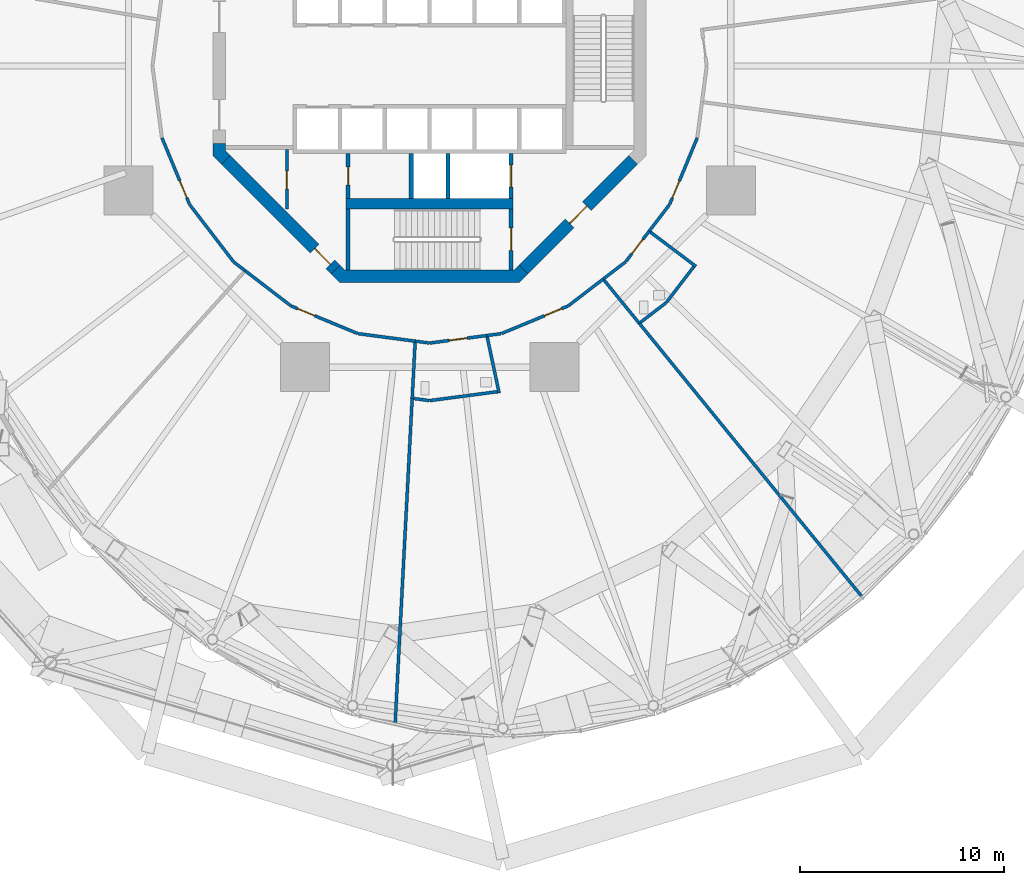
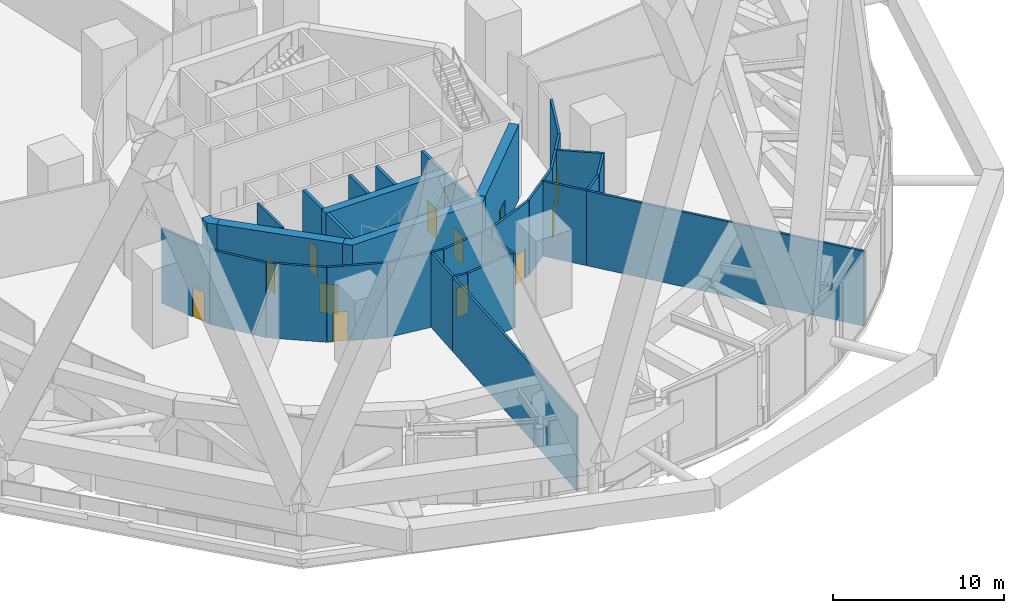
# One storey, part 39 of 51: 37 walls, 12 doors, 12 openings.
"""IFC4 building model written with IfcOpenShell, lengths in metres."""

from ifc_helpers import new_model, si_unit, direction, frame, frame_2d, origin, place, context, subcontext, project, spatial, polyline, rectangle, outline, extrude, material, layer, layer_set, type_object, element, fill, save


model = new_model("IFC4")

# Units and contexts
model_context = context("Model", 3, precision=1e-05, world=origin(), true_north=direction((0.0, 1.0)))
body_context = subcontext(model_context, "Body", "Model", "MODEL_VIEW")
ifc_project = project(units=[si_unit("LENGTHUNIT", "METRE"), si_unit("AREAUNIT", "SQUARE_METRE"), si_unit("VOLUMEUNIT", "CUBIC_METRE"), si_unit("PLANEANGLEUNIT", "RADIAN"), si_unit("MASSUNIT", "GRAM", prefix="KILO")], contexts=[model_context])

# Site, building, storey
site_placement = place(None, origin())
site = spatial("IfcSite", under=ifc_project, at=site_placement, CompositionType="ELEMENT")
building_placement = place(site_placement, origin())
building = spatial("IfcBuilding", under=site, at=building_placement, Name="Nagisa Residences", CompositionType="ELEMENT")
storey_placement = place(building_placement, frame((0.0, 0.0, 67.699951171875)))
storey = spatial("IfcBuildingStorey", under=building, at=storey_placement, Name="L16", CompositionType="ELEMENT", Elevation=67.699951171875)

# Wall, opening, door
ifc_material_1 = material(Name="Gypsum board on steel studs", Category="steel")
ifc_layer_1 = layer(ifc_material_1, 0.14990234375)
ifc_layer_set_1 = layer_set([ifc_layer_1], Name="Core partition 150")
wall_type_1 = type_object("IfcWallType", Name="Core partition 150", PredefinedType="PARTITIONING", material=ifc_layer_set_1)
wall_1_placement = place(storey_placement, frame((-7.0, -7.02685546875, 0.0), z_axis=(0.0, 0.0, 1.0), x_axis=(0.0, 1.0, 0.0)))
wall_1 = element("IfcWall", 1, at=wall_1_placement, inside=storey, type_object=wall_type_1, Name="wall:L16:SWp", PredefinedType="PARTITIONING", context=body_context, shape_type="SweptSolid", body=[
    extrude(rectangle(XDim=2.9267578125, YDim=0.14990234375, at=frame_2d((1.46337890625, 0.0))), origin(), (0.0, 0.0, 1.0), 5.340087890625),
])
opening_1_placement = place(wall_1_placement, frame((0.97607421875, 0.0, 0.0)))
opening_1 = element("IfcOpeningElement", 2, at=opening_1_placement, cuts=wall_1, Name="Opening L16-C14", PredefinedType="OPENING", context=body_context, shape_type="SweptSolid", body=[
    extrude(rectangle(XDim=0.89990234375, YDim=2.10009765625, at=frame_2d((0.449951171875, 1.050048828125))), frame((0.0, 0.0849609375, 0.0), z_axis=(0.0, -1.0, 0.0), x_axis=(1.0, 0.0, 0.0)), (0.0, 0.0, 1.0), 0.169921875),
])
ifc_material_2 = material(Name="Steel fire door", Category="steel")
door_type_1 = type_object("IfcDoorType", Name="Fire door EI30 900x2100 single swing", OperationType="NOTDEFINED", PredefinedType="DOOR", material=ifc_material_2)
door_1_placement = place(opening_1_placement, origin())
door_1 = element("IfcDoor", 3, at=door_1_placement, inside=storey, type_object=door_type_1, Name="Refuse room door L16", OperationType="SINGLE_SWING_LEFT", OverallHeight=2.10009765625, OverallWidth=0.89990234375, PredefinedType="DOOR", context=body_context, shape_type="SweptSolid", body=[
    extrude(rectangle(XDim=0.89990234375, YDim=2.10009765625, at=frame_2d((0.449951171875, 1.050048828125))), frame((0.0, 0.02490234375, 0.0), z_axis=(0.0, -1.0, 0.0), x_axis=(1.0, 0.0, 0.0)), (0.0, 0.0, 1.0), 0.050048828125),
])
fill(opening_1, door_1)

ifc_material_3 = material(Name="Concrete C60", Category="concrete")
ifc_layer_2 = layer(ifc_material_3, 0.60009765625)
ifc_layer_set_2 = layer_set([ifc_layer_2], Name="Core shear wall 600")
wall_type_2 = type_object("IfcWallType", Name="Core shear wall 600", PredefinedType="SHEAR", material=ifc_layer_set_2)
wall_2_placement = place(storey_placement, frame((-9.98828125, -4.613037109375, 0.0), z_axis=(0.0, 0.0, 1.0), x_axis=(0.707106781187, -0.707106781187, 0.0)))
wall_2 = element("IfcWall", 4, at=wall_2_placement, inside=storey, type_object=wall_type_2, Name="wall:L16:core:flat5", PredefinedType="SHEAR", context=body_context, shape_type="SweptSolid", body=[
    extrude(rectangle(XDim=7.601806640625, YDim=0.60009765625, at=frame_2d((3.80078125, 0.0))), origin(), (0.0, 0.0, 1.0), 5.340087890625),
])
opening_2_placement = place(wall_2_placement, frame((6.15087890625, 0.0, 0.0)))
opening_2 = element("IfcOpeningElement", 5, at=opening_2_placement, cuts=wall_2, Name="Opening L16-C21", PredefinedType="OPENING", context=body_context, shape_type="SweptSolid", body=[
    extrude(rectangle(XDim=1.10009765625, YDim=2.10009765625, at=frame_2d((0.550048828125, 1.050048828125))), frame((0.0, 0.31005859375, 0.0), z_axis=(0.0, -1.0, 0.0), x_axis=(1.0, 0.0, 0.0)), (0.0, 0.0, 1.0), 0.6201171875),
])
ifc_material_4 = material(Name="Steel fire door", Category="steel")
door_type_2 = type_object("IfcDoorType", Name="Fire door EI60 1100x2100 single swing", OperationType="NOTDEFINED", PredefinedType="DOOR", material=ifc_material_4)
door_2_placement = place(opening_2_placement, origin())
door_2 = element("IfcDoor", 6, at=door_2_placement, inside=storey, type_object=door_type_2, Name="Housekeeping lobby door L16", OperationType="SINGLE_SWING_LEFT", OverallHeight=2.10009765625, OverallWidth=1.10009765625, PredefinedType="DOOR", context=body_context, shape_type="SweptSolid", body=[
    extrude(rectangle(XDim=1.10009765625, YDim=2.10009765625, at=frame_2d((0.550048828125, 1.050048828125))), frame((0.0, 0.02490234375, 0.0), z_axis=(0.0, -1.0, 0.0), x_axis=(1.0, 0.0, 0.0)), (0.0, 0.0, 1.0), 0.050048828125),
])
fill(opening_2, door_2)

wall_3_placement = place(storey_placement, frame((4.613037109375, -9.98828125, 0.0), z_axis=(0.0, 0.0, 1.0), x_axis=(0.707106781187, 0.707106781187, 0.0)))
wall_3 = element("IfcWall", 7, at=wall_3_placement, inside=storey, type_object=wall_type_2, Name="wall:L16:core:flat7", PredefinedType="SHEAR", context=body_context, shape_type="SweptSolid", body=[
    extrude(rectangle(XDim=7.601806640625, YDim=0.60009765625, at=frame_2d((3.80078125, 0.0))), origin(), (0.0, 0.0, 1.0), 5.340087890625),
])
opening_3_placement = place(wall_3_placement, frame((3.200927734375, 0.0, 0.0)))
opening_3 = element("IfcOpeningElement", 8, at=opening_3_placement, cuts=wall_3, Name="Opening L16-C17", PredefinedType="OPENING", context=body_context, shape_type="SweptSolid", body=[
    extrude(rectangle(XDim=1.199951171875, YDim=2.10009765625, at=frame_2d((0.60009765625, 1.050048828125))), frame((0.0, 0.31005859375, 0.0), z_axis=(0.0, -1.0, 0.0), x_axis=(1.0, 0.0, 0.0)), (0.0, 0.0, 1.0), 0.6201171875),
])
ifc_material_5 = material(Name="Steel fire door", Category="steel")
door_type_3 = type_object("IfcDoorType", Name="Fire door EI60 1200x2100 single swing", OperationType="NOTDEFINED", PredefinedType="DOOR", material=ifc_material_5)
door_3_placement = place(opening_3_placement, origin())
door_3 = element("IfcDoor", 9, at=door_3_placement, inside=storey, type_object=door_type_3, Name="Firefighting lobby 2 door L16", OperationType="SINGLE_SWING_LEFT", OverallHeight=2.10009765625, OverallWidth=1.199951171875, PredefinedType="DOOR", context=body_context, shape_type="SweptSolid", body=[
    extrude(rectangle(XDim=1.199951171875, YDim=2.10009765625, at=frame_2d((0.60009765625, 1.050048828125))), frame((0.0, 0.02490234375, 0.0), z_axis=(0.0, -1.0, 0.0), x_axis=(1.0, 0.0, 0.0)), (0.0, 0.0, 1.0), 0.050048828125),
])
fill(opening_3, door_3)

# Walls
wall_4_placement = place(storey_placement, origin())
element("IfcWall", 10, at=wall_4_placement, inside=storey, type_object=wall_type_2, Name="wall:L16:core:pier4", PredefinedType="SHEAR", context=body_context, shape_type="SweptSolid", body=[
    extrude(outline(polyline([(-10.62451171875, -3.80078125), (-10.024658203125, -3.80078125), (-10.024658203125, -4.15234375), (-9.776123046875, -4.40087890625), (-10.200439453125, -4.8251953125), (-10.62451171875, -4.40087890625), (-10.62451171875, -3.80078125)])), origin(), (0.0, 0.0, 1.0), 5.340087890625),
])
wall_5_placement = place(storey_placement, origin())
element("IfcWall", 11, at=wall_5_placement, inside=storey, type_object=wall_type_2, Name="wall:L16:core:flat6", PredefinedType="SHEAR", context=body_context, shape_type="SweptSolid", body=[
    extrude(outline(polyline([(-4.15234375, -10.024658203125), (4.15234375, -10.024658203125), (4.40087890625, -9.776123046875), (4.8251953125, -10.200439453125), (4.40087890625, -10.62451171875), (-4.40087890625, -10.62451171875), (-4.8251953125, -10.200439453125), (-4.40087890625, -9.776123046875), (-4.15234375, -10.024658203125)])), origin(), (0.0, 0.0, 1.0), 5.340087890625),
])

# Wall, opening, door
ifc_material_6 = material(Name="Concrete C60", Category="concrete")
ifc_layer_3 = layer(ifc_material_6, 0.199951171875)
ifc_layer_set_3 = layer_set([ifc_layer_3], Name="Lift shaft wall 200")
wall_type_3 = type_object("IfcWallType", Name="Lift shaft wall 200", PredefinedType="SOLIDWALL", material=ifc_layer_set_3)
wall_6_placement = place(storey_placement, frame((4.0, -6.5, 0.0), z_axis=(0.0, 0.0, 1.0), x_axis=(0.0, 1.0, 0.0)))
wall_6 = element("IfcWall", 12, at=wall_6_placement, inside=storey, type_object=wall_type_3, Name="wall:L16:Sb3", PredefinedType="SOLIDWALL", context=body_context, shape_type="SweptSolid", body=[
    extrude(rectangle(XDim=2.199951171875, YDim=0.199951171875, at=frame_2d((1.10009765625, 0.0))), origin(), (0.0, 0.0, 1.0), 5.340087890625),
])
opening_4_placement = place(wall_6_placement, frame((0.550048828125, 0.0, 0.0)))
opening_4 = element("IfcOpeningElement", 13, at=opening_4_placement, cuts=wall_6, Name="Opening L16-C07", PredefinedType="OPENING", context=body_context, shape_type="SweptSolid", body=[
    extrude(rectangle(XDim=1.10009765625, YDim=2.10009765625, at=frame_2d((0.550048828125, 1.050048828125))), frame((0.0, 0.10986328125, 0.0), z_axis=(0.0, -1.0, 0.0), x_axis=(1.0, 0.0, 0.0)), (0.0, 0.0, 1.0), 0.219970703125),
])
ifc_material_7 = material(Name="Stainless steel", Category="steel")
door_type_4 = type_object("IfcDoorType", Name="Lift landing door 1100x2100", OperationType="DOUBLE_DOOR_SLIDING", PredefinedType="DOOR", material=ifc_material_7)
door_4_placement = place(opening_4_placement, origin())
door_4 = element("IfcDoor", 14, at=door_4_placement, inside=storey, type_object=door_type_4, Name="Landing door FL2 L16", OperationType="DOUBLE_DOOR_SLIDING", OverallHeight=2.10009765625, OverallWidth=1.10009765625, PredefinedType="DOOR", context=body_context, shape_type="SweptSolid", body=[
    extrude(rectangle(XDim=1.10009765625, YDim=2.10009765625, at=frame_2d((0.550048828125, 1.050048828125))), frame((0.0, 0.02490234375, 0.0), z_axis=(0.0, -1.0, 0.0), x_axis=(1.0, 0.0, 0.0)), (0.0, 0.0, 1.0), 0.050048828125),
])
fill(opening_4, door_4)

wall_7_placement = place(storey_placement, frame((-4.0, -6.5, 0.0), z_axis=(0.0, 0.0, 1.0), x_axis=(0.0, 1.0, 0.0)))
wall_7 = element("IfcWall", 15, at=wall_7_placement, inside=storey, type_object=wall_type_3, Name="wall:L16:Sb4", PredefinedType="SOLIDWALL", context=body_context, shape_type="SweptSolid", body=[
    extrude(rectangle(XDim=2.199951171875, YDim=0.199951171875, at=frame_2d((1.10009765625, 0.0))), origin(), (0.0, 0.0, 1.0), 5.340087890625),
])
opening_5_placement = place(wall_7_placement, frame((0.64990234375, 0.0, 0.0)))
opening_5 = element("IfcOpeningElement", 16, at=opening_5_placement, cuts=wall_7, Name="Opening L16-C15", PredefinedType="OPENING", context=body_context, shape_type="SweptSolid", body=[
    extrude(rectangle(XDim=0.89990234375, YDim=2.10009765625, at=frame_2d((0.449951171875, 1.050048828125))), frame((0.0, 0.10986328125, 0.0), z_axis=(0.0, -1.0, 0.0), x_axis=(1.0, 0.0, 0.0)), (0.0, 0.0, 1.0), 0.219970703125),
])
door_5_placement = place(opening_5_placement, frame((0.89990234375, 0.0, 0.0), x_axis=(-1.0, 0.0, 0.0)))
door_5 = element("IfcDoor", 17, at=door_5_placement, inside=storey, type_object=door_type_1, Name="Refuse room door L16", OperationType="SINGLE_SWING_RIGHT", OverallHeight=2.10009765625, OverallWidth=0.89990234375, PredefinedType="DOOR", context=body_context, shape_type="SweptSolid", body=[
    extrude(rectangle(XDim=0.89990234375, YDim=2.10009765625, at=frame_2d((0.449951171875, 1.050048828125))), frame((0.0, 0.02490234375, 0.0), z_axis=(0.0, -1.0, 0.0), x_axis=(1.0, 0.0, 0.0)), (0.0, 0.0, 1.0), 0.050048828125),
])
fill(opening_5, door_5)

# Walls
for number, where, z_axis, x_axis, name in (
    (18, (-0.89990234375, -6.5, 0.0), (0.0, 0.0, 1.0), (0.0, 1.0, 0.0), "wall:L16:Sb1"),
    (19, (0.89990234375, -6.5, 0.0), (0.0, 0.0, 1.0), (0.0, 1.0, 0.0), "wall:L16:Sb2"),
):
    element("IfcWall", number, at=place(storey_placement, frame(where, z_axis=z_axis, x_axis=x_axis)), inside=storey, type_object=wall_type_3, Name=name, PredefinedType="SOLIDWALL", context=body_context, shape_type="SweptSolid", body=[
        extrude(rectangle(XDim=2.199951171875, YDim=0.199951171875, at=frame_2d((1.10009765625, 0.0))), origin(), (0.0, 0.0, 1.0), 5.340087890625),
    ])

# Wall, opening, door
ifc_material_8 = material(Name="Gypsum board on steel studs", Category="steel")
ifc_layer_4 = layer(ifc_material_8, 0.14990234375)
ifc_layer_set_4 = layer_set([ifc_layer_4], Name="Room partition EI60 150")
wall_type_4 = type_object("IfcWallType", Name="Room partition EI60 150", PredefinedType="PARTITIONING", material=ifc_layer_set_4)
wall_8_placement = place(storey_placement, frame((-11.782470703125, -6.7890625, 0.0), z_axis=(0.0, 0.0, 1.0), x_axis=(-0.382677866108, 0.923881838111, 0.0)))
wall_8 = element("IfcWall", 20, at=wall_8_placement, inside=storey, type_object=wall_type_4, Name="wall:L16:am005", PredefinedType="PARTITIONING", context=body_context, shape_type="SweptSolid", body=[
    extrude(rectangle(XDim=3.52685546875, YDim=0.14990234375, at=frame_2d((1.763427734375, 0.0))), origin(), (0.0, 0.0, 1.0), 5.340087890625),
])
opening_6_placement = place(wall_8_placement, frame((0.345703125, 0.0, 0.0)))
opening_6 = element("IfcOpeningElement", 21, at=opening_6_placement, cuts=wall_8, Name="Opening L16-A04", PredefinedType="OPENING", context=body_context, shape_type="SweptSolid", body=[
    extrude(rectangle(XDim=0.89990234375, YDim=2.10009765625, at=frame_2d((0.449951171875, 1.050048828125))), frame((0.0, 0.0849609375, 0.0), z_axis=(0.0, -1.0, 0.0), x_axis=(1.0, 0.0, 0.0)), (0.0, 0.0, 1.0), 0.169921875),
])
door_6_placement = place(opening_6_placement, origin())
door_6 = element("IfcDoor", 22, at=door_6_placement, inside=storey, type_object=door_type_1, Name="Residents' fitness room door", OperationType="SINGLE_SWING_RIGHT", OverallHeight=2.10009765625, OverallWidth=0.89990234375, PredefinedType="DOOR", context=body_context, shape_type="SweptSolid", body=[
    extrude(rectangle(XDim=0.89990234375, YDim=2.10009765625, at=frame_2d((0.449951171875, 1.050048828125))), frame((0.0, 0.02490234375, 0.0), z_axis=(0.0, -1.0, 0.0), x_axis=(1.0, 0.0, 0.0)), (0.0, 0.0, 1.0), 0.050048828125),
])
fill(opening_6, door_6)

# Walls
wall_9_placement = place(storey_placement, frame((-9.6240234375, -9.607177734375, 0.0), z_axis=(0.0, 0.0, 1.0), x_axis=(-0.608736710054, 0.793372307201, 0.0)))
element("IfcWall", 23, at=wall_9_placement, inside=storey, type_object=wall_type_4, Name="wall:L16:am007", PredefinedType="PARTITIONING", context=body_context, shape_type="SweptSolid", body=[
    extrude(rectangle(XDim=3.526611328125, YDim=0.14990234375, at=frame_2d((1.76318359375, 0.0))), origin(), (0.0, 0.0, 1.0), 5.340087890625),
])
wall_10_placement = place(storey_placement, frame((-9.05029296875, -10.05126953125, 0.0), z_axis=(0.0, 0.0, 1.0), x_axis=(-0.793399175387, 0.608701690893, 0.0)))
element("IfcWall", 24, at=wall_10_placement, inside=storey, type_object=wall_type_4, Name="wall:L16:am010", PredefinedType="PARTITIONING", context=body_context, shape_type="SweptSolid", body=[
    extrude(rectangle(XDim=0.701904296875, YDim=0.14990234375, at=frame_2d((0.35107421875, 0.0))), origin(), (0.0, 0.0, 1.0), 5.340087890625),
])
wall_11_placement = place(storey_placement, frame((-6.809326171875, -11.770751953125, 0.0), z_axis=(0.0, 0.0, 1.0), x_axis=(-0.793365630445, 0.608745411834, 0.0)))
element("IfcWall", 25, at=wall_11_placement, inside=storey, type_object=wall_type_4, Name="wall:L16:am011", PredefinedType="PARTITIONING", context=body_context, shape_type="SweptSolid", body=[
    extrude(rectangle(XDim=2.82470703125, YDim=0.14990234375, at=frame_2d((1.412353515625, 0.0))), origin(), (0.0, 0.0, 1.0), 5.340087890625),
])

# Wall, opening, door
wall_12_placement = place(storey_placement, frame((-3.53076171875, -13.132080078125, 0.0), z_axis=(0.0, 0.0, 1.0), x_axis=(-0.923881838111, 0.382677866108, 0.0)))
wall_12 = element("IfcWall", 26, at=wall_12_placement, inside=storey, type_object=wall_type_4, Name="wall:L16:am013", PredefinedType="PARTITIONING", context=body_context, shape_type="SweptSolid", body=[
    extrude(rectangle(XDim=3.52685546875, YDim=0.14990234375, at=frame_2d((1.763427734375, 0.0))), origin(), (0.0, 0.0, 1.0), 5.340087890625),
])
opening_7_placement = place(wall_12_placement, frame((2.281005859375, 0.0, 0.0)))
opening_7 = element("IfcOpeningElement", 27, at=opening_7_placement, cuts=wall_12, Name="Opening L16-A05", PredefinedType="OPENING", context=body_context, shape_type="SweptSolid", body=[
    extrude(rectangle(XDim=0.89990234375, YDim=2.10009765625, at=frame_2d((0.449951171875, 1.050048828125))), frame((0.0, 0.0849609375, 0.0), z_axis=(0.0, -1.0, 0.0), x_axis=(1.0, 0.0, 0.0)), (0.0, 0.0, 1.0), 0.169921875),
])
door_7_placement = place(opening_7_placement, origin())
door_7 = element("IfcDoor", 28, at=door_7_placement, inside=storey, type_object=door_type_1, Name="Concierge desk and mail door", OperationType="SINGLE_SWING_LEFT", OverallHeight=2.10009765625, OverallWidth=0.89990234375, PredefinedType="DOOR", context=body_context, shape_type="SweptSolid", body=[
    extrude(rectangle(XDim=0.89990234375, YDim=2.10009765625, at=frame_2d((0.449951171875, 1.050048828125))), frame((0.0, 0.02490234375, 0.0), z_axis=(0.0, -1.0, 0.0), x_axis=(1.0, 0.0, 0.0)), (0.0, 0.0, 1.0), 0.050048828125),
])
fill(opening_7, door_7)

# Walls
wall_13_placement = place(storey_placement, frame((-0.85498046875, -16.3115234375, 0.0), z_axis=(0.0, 0.0, 1.0), x_axis=(-0.05232715486, -0.998629995977, 0.0)))
element("IfcWall", 29, at=wall_13_placement, inside=storey, type_object=wall_type_4, Name="wall:L16:am017", PredefinedType="PARTITIONING", context=body_context, shape_type="SweptSolid", body=[
    extrude(rectangle(XDim=15.984619140625, YDim=0.14990234375, at=frame_2d((7.9921875, 0.0))), origin(), (0.0, 0.0, 1.0), 5.340087890625),
])
wall_14_placement = place(storey_placement, frame((-0.7080078125, -13.5068359375, 0.0), z_axis=(0.0, 0.0, 1.0), x_axis=(-0.991443994311, 0.130532778046, 0.0)))
element("IfcWall", 30, at=wall_14_placement, inside=storey, type_object=wall_type_4, Name="wall:L16:am019", PredefinedType="PARTITIONING", context=body_context, shape_type="SweptSolid", body=[
    extrude(rectangle(XDim=2.82421875, YDim=0.14990234375, at=frame_2d((1.412109375, 0.0))), origin(), (0.0, 0.0, 1.0), 5.340087890625),
])
wall_15_placement = place(storey_placement, frame((-0.7119140625, -13.58203125, 0.0), z_axis=(0.0, 0.0, 1.0), x_axis=(-0.052343174033, -0.99862915646, 0.0)))
element("IfcWall", 31, at=wall_15_placement, inside=storey, type_object=wall_type_4, Name="wall:L16:am020", PredefinedType="PARTITIONING", context=body_context, shape_type="SweptSolid", body=[
    extrude(rectangle(XDim=2.733154296875, YDim=0.14990234375, at=frame_2d((1.36669921875, 0.0))), origin(), (0.0, 0.0, 1.0), 5.340087890625),
])
wall_16_placement = place(storey_placement, frame((-0.01171875, -16.422607421875, 0.0), z_axis=(0.0, 0.0, 1.0), x_axis=(-0.991462869305, 0.130389335417, 0.0)))
element("IfcWall", 32, at=wall_16_placement, inside=storey, type_object=wall_type_4, Name="wall:L16:am023", PredefinedType="PARTITIONING", context=body_context, shape_type="SweptSolid", body=[
    extrude(rectangle(XDim=0.775146484375, YDim=0.14990234375, at=frame_2d((0.3876953125, 0.0))), origin(), (0.0, 0.0, 1.0), 5.340087890625),
])
wall_17_placement = place(storey_placement, frame((-0.01171875, -13.598388671875, 0.0), z_axis=(0.0, 0.0, 1.0), x_axis=(-0.991466123966, 0.130364585024, 0.0)))
element("IfcWall", 33, at=wall_17_placement, inside=storey, type_object=wall_type_4, Name="wall:L16:am024", PredefinedType="PARTITIONING", context=body_context, shape_type="SweptSolid", body=[
    extrude(rectangle(XDim=0.702392578125, YDim=0.14990234375, at=frame_2d((0.35107421875, 0.0))), origin(), (0.0, 0.0, 1.0), 5.340087890625),
])

# Wall, opening, door
wall_18_placement = place(storey_placement, frame((2.81201171875, -13.229736328125, 0.0), z_axis=(0.0, 0.0, 1.0), x_axis=(-0.991445467051, -0.130521591565, 0.0)))
wall_18 = element("IfcWall", 34, at=wall_18_placement, inside=storey, type_object=wall_type_4, Name="wall:L16:am027", PredefinedType="PARTITIONING", context=body_context, shape_type="SweptSolid", body=[
    extrude(rectangle(XDim=2.824462890625, YDim=0.14990234375, at=frame_2d((1.412109375, 0.0))), origin(), (0.0, 0.0, 1.0), 5.340087890625),
])
opening_8_placement = place(wall_18_placement, frame((0.96826171875, 0.0, 0.0)))
opening_8 = element("IfcOpeningElement", 35, at=opening_8_placement, cuts=wall_18, Name="Opening L16-A06", PredefinedType="OPENING", context=body_context, shape_type="SweptSolid", body=[
    extrude(rectangle(XDim=0.89990234375, YDim=2.10009765625, at=frame_2d((0.449951171875, 1.050048828125))), frame((0.0, 0.0849609375, 0.0), z_axis=(0.0, -1.0, 0.0), x_axis=(1.0, 0.0, 0.0)), (0.0, 0.0, 1.0), 0.169921875),
])
door_8_placement = place(opening_8_placement, origin())
door_8 = element("IfcDoor", 36, at=door_8_placement, inside=storey, type_object=door_type_1, Name="WC 1 door", OperationType="SINGLE_SWING_RIGHT", OverallHeight=2.10009765625, OverallWidth=0.89990234375, PredefinedType="DOOR", context=body_context, shape_type="SweptSolid", body=[
    extrude(rectangle(XDim=0.89990234375, YDim=2.10009765625, at=frame_2d((0.449951171875, 1.050048828125))), frame((0.0, 0.02490234375, 0.0), z_axis=(0.0, -1.0, 0.0), x_axis=(1.0, 0.0, 0.0)), (0.0, 0.0, 1.0), 0.050048828125),
])
fill(opening_8, door_8)

# Walls
wall_19_placement = place(storey_placement, frame((2.82763671875, -13.303466796875, 0.0), z_axis=(0.0, 0.0, 1.0), x_axis=(0.207920091501, -0.978145815076, 0.0)))
element("IfcWall", 37, at=wall_19_placement, inside=storey, type_object=wall_type_4, Name="wall:L16:am028", PredefinedType="PARTITIONING", context=body_context, shape_type="SweptSolid", body=[
    extrude(rectangle(XDim=2.80859375, YDim=0.14990234375, at=frame_2d((1.404296875, 0.0))), origin(), (0.0, 0.0, 1.0), 5.340087890625),
])
wall_20_placement = place(storey_placement, frame((3.3212890625, -15.98681640625, 0.0), z_axis=(0.0, 0.0, 1.0), x_axis=(-0.991441844339, -0.130549106827, 0.0)))
element("IfcWall", 38, at=wall_20_placement, inside=storey, type_object=wall_type_4, Name="wall:L16:am030", PredefinedType="PARTITIONING", context=body_context, shape_type="SweptSolid", body=[
    extrude(rectangle(XDim=3.338134765625, YDim=0.14990234375, at=frame_2d((1.6689453125, 0.0))), origin(), (0.0, 0.0, 1.0), 5.340087890625),
])
wall_21_placement = place(storey_placement, frame((3.508056640625, -13.13818359375, 0.0), z_axis=(0.0, 0.0, 1.0), x_axis=(-0.991460212813, -0.130409533429, 0.0)))
element("IfcWall", 39, at=wall_21_placement, inside=storey, type_object=wall_type_4, Name="wall:L16:am032", PredefinedType="PARTITIONING", context=body_context, shape_type="SweptSolid", body=[
    extrude(rectangle(XDim=0.7021484375, YDim=0.14990234375, at=frame_2d((0.35107421875, 0.0))), origin(), (0.0, 0.0, 1.0), 5.340087890625),
])

# Wall, opening, door
wall_22_placement = place(storey_placement, frame((6.7890625, -11.782470703125, 0.0), z_axis=(0.0, 0.0, 1.0), x_axis=(-0.923881838111, -0.382677866108, 0.0)))
wall_22 = element("IfcWall", 40, at=wall_22_placement, inside=storey, type_object=wall_type_4, Name="wall:L16:am033", PredefinedType="PARTITIONING", context=body_context, shape_type="SweptSolid", body=[
    extrude(rectangle(XDim=3.52685546875, YDim=0.14990234375, at=frame_2d((1.763427734375, 0.0))), origin(), (0.0, 0.0, 1.0), 5.340087890625),
])
opening_9_placement = place(wall_22_placement, frame((0.345703125, 0.0, 0.0)))
opening_9 = element("IfcOpeningElement", 41, at=opening_9_placement, cuts=wall_22, Name="Opening L16-A07", PredefinedType="OPENING", context=body_context, shape_type="SweptSolid", body=[
    extrude(rectangle(XDim=0.89990234375, YDim=2.10009765625, at=frame_2d((0.449951171875, 1.050048828125))), frame((0.0, 0.0849609375, 0.0), z_axis=(0.0, -1.0, 0.0), x_axis=(1.0, 0.0, 0.0)), (0.0, 0.0, 1.0), 0.169921875),
])
door_9_placement = place(opening_9_placement, origin())
door_9 = element("IfcDoor", 42, at=door_9_placement, inside=storey, type_object=door_type_1, Name="Sky meeting room door", OperationType="SINGLE_SWING_LEFT", OverallHeight=2.10009765625, OverallWidth=0.89990234375, PredefinedType="DOOR", context=body_context, shape_type="SweptSolid", body=[
    extrude(rectangle(XDim=0.89990234375, YDim=2.10009765625, at=frame_2d((0.449951171875, 1.050048828125))), frame((0.0, 0.02490234375, 0.0), z_axis=(0.0, -1.0, 0.0), x_axis=(1.0, 0.0, 0.0)), (0.0, 0.0, 1.0), 0.050048828125),
])
fill(opening_9, door_9)

# Walls
wall_23_placement = place(storey_placement, frame((8.519287109375, -10.458740234375, 0.0), z_axis=(0.0, 0.0, 1.0), x_axis=(-0.793372937326, -0.608735888805, 0.0)))
element("IfcWall", 43, at=wall_23_placement, inside=storey, type_object=wall_type_4, Name="wall:L16:am034", PredefinedType="PARTITIONING", context=body_context, shape_type="SweptSolid", body=[
    extrude(rectangle(XDim=2.1552734375, YDim=0.14990234375, at=frame_2d((1.07763671875, 0.0))), origin(), (0.0, 0.0, 1.0), 5.340087890625),
])
wall_24_placement = place(storey_placement, frame((8.566650390625, -10.51708984375, 0.0), z_axis=(0.0, 0.0, 1.0), x_axis=(0.631573271363, -0.775316195432, 0.0)))
element("IfcWall", 44, at=wall_24_placement, inside=storey, type_object=wall_type_4, Name="wall:L16:am035", PredefinedType="PARTITIONING", context=body_context, shape_type="SweptSolid", body=[
    extrude(rectangle(XDim=2.72607421875, YDim=0.14990234375, at=frame_2d((1.363037109375, 0.0))), origin(), (0.0, 0.0, 1.0), 5.340087890625),
])
wall_25_placement = place(storey_placement, frame((9.607177734375, -9.6240234375, 0.0), z_axis=(0.0, 0.0, 1.0), x_axis=(-0.793371316762, -0.6087380009, 0.0)))
element("IfcWall", 45, at=wall_25_placement, inside=storey, type_object=wall_type_4, Name="wall:L16:am036", PredefinedType="PARTITIONING", context=body_context, shape_type="SweptSolid", body=[
    extrude(rectangle(XDim=1.371337890625, YDim=0.14990234375, at=frame_2d((0.685546875, 0.0))), origin(), (0.0, 0.0, 1.0), 5.340087890625),
])
wall_26_placement = place(storey_placement, frame((10.288330078125, -12.630615234375, 0.0), z_axis=(0.0, 0.0, 1.0), x_axis=(0.631546535922, -0.77533797338, 0.0)))
element("IfcWall", 46, at=wall_26_placement, inside=storey, type_object=wall_type_4, Name="wall:L16:am037", PredefinedType="PARTITIONING", context=body_context, shape_type="SweptSolid", body=[
    extrude(rectangle(XDim=17.3251953125, YDim=0.14990234375, at=frame_2d((8.66259765625, 0.0))), origin(), (0.0, 0.0, 1.0), 5.340087890625),
])

# Wall, opening, door
wall_27_placement = place(storey_placement, frame((10.773681640625, -8.10888671875, 0.0), z_axis=(0.0, 0.0, 1.0), x_axis=(-0.608754453805, -0.793358692504, 0.0)))
wall_27 = element("IfcWall", 47, at=wall_27_placement, inside=storey, type_object=wall_type_4, Name="wall:L16:am038", PredefinedType="PARTITIONING", context=body_context, shape_type="SweptSolid", body=[
    extrude(rectangle(XDim=1.888427734375, YDim=0.14990234375, at=frame_2d((0.9443359375, 0.0))), origin(), (0.0, 0.0, 1.0), 5.340087890625),
])
opening_10_placement = place(wall_27_placement, frame((0.500244140625, 0.0, 0.0)))
opening_10 = element("IfcOpeningElement", 48, at=opening_10_placement, cuts=wall_27, Name="Opening L16-A08", PredefinedType="OPENING", context=body_context, shape_type="SweptSolid", body=[
    extrude(rectangle(XDim=0.89990234375, YDim=2.10009765625, at=frame_2d((0.449951171875, 1.050048828125))), frame((0.0, 0.0849609375, 0.0), z_axis=(0.0, -1.0, 0.0), x_axis=(1.0, 0.0, 0.0)), (0.0, 0.0, 1.0), 0.169921875),
])
door_10_placement = place(opening_10_placement, origin())
door_10 = element("IfcDoor", 49, at=door_10_placement, inside=storey, type_object=door_type_1, Name="WC 2 door", OperationType="SINGLE_SWING_RIGHT", OverallHeight=2.10009765625, OverallWidth=0.89990234375, PredefinedType="DOOR", context=body_context, shape_type="SweptSolid", body=[
    extrude(rectangle(XDim=0.89990234375, YDim=2.10009765625, at=frame_2d((0.449951171875, 1.050048828125))), frame((0.0, 0.02490234375, 0.0), z_axis=(0.0, -1.0, 0.0), x_axis=(1.0, 0.0, 0.0)), (0.0, 0.0, 1.0), 0.050048828125),
])
fill(opening_10, door_10)

# Walls
wall_28_placement = place(storey_placement, frame((10.83349609375, -8.154052734375, 0.0), z_axis=(0.0, 0.0, 1.0), x_axis=(0.798994468734, -0.601338373075, 0.0)))
element("IfcWall", 50, at=wall_28_placement, inside=storey, type_object=wall_type_4, Name="wall:L16:am039", PredefinedType="PARTITIONING", context=body_context, shape_type="SweptSolid", body=[
    extrude(rectangle(XDim=2.800048828125, YDim=0.14990234375, at=frame_2d((1.39990234375, 0.0))), origin(), (0.0, 0.0, 1.0), 5.340087890625),
])
wall_29_placement = place(storey_placement, frame((11.604248046875, -11.620849609375, 0.0), z_axis=(0.0, 0.0, 1.0), x_axis=(-0.793328373205, -0.608793965368, 0.0)))
element("IfcWall", 51, at=wall_29_placement, inside=storey, type_object=wall_type_4, Name="wall:L16:am040", PredefinedType="PARTITIONING", context=body_context, shape_type="SweptSolid", body=[
    extrude(rectangle(XDim=1.583740234375, YDim=0.14990234375, at=frame_2d((0.7919921875, 0.0))), origin(), (0.0, 0.0, 1.0), 5.340087890625),
])
wall_30_placement = place(storey_placement, frame((11.770751953125, -6.809326171875, 0.0), z_axis=(0.0, 0.0, 1.0), x_axis=(-0.608716251771, -0.793388003961, 0.0)))
element("IfcWall", 52, at=wall_30_placement, inside=storey, type_object=wall_type_4, Name="wall:L16:am041", PredefinedType="PARTITIONING", context=body_context, shape_type="SweptSolid", body=[
    extrude(rectangle(XDim=1.637939453125, YDim=0.14990234375, at=frame_2d((0.81884765625, 0.0))), origin(), (0.0, 0.0, 1.0), 5.340087890625),
])
wall_31_placement = place(storey_placement, frame((12.965087890625, -9.852294921875, 0.0), z_axis=(0.0, 0.0, 1.0), x_axis=(-0.608737875962, -0.793371412624, 0.0)))
element("IfcWall", 53, at=wall_31_placement, inside=storey, type_object=wall_type_4, Name="wall:L16:am042", PredefinedType="PARTITIONING", context=body_context, shape_type="SweptSolid", body=[
    extrude(rectangle(XDim=2.208251953125, YDim=0.14990234375, at=frame_2d((1.10400390625, 0.0))), origin(), (0.0, 0.0, 1.0), 5.340087890625),
])

# Wall, opening, door
wall_32_placement = place(storey_placement, frame((13.132080078125, -3.53076171875, 0.0), z_axis=(0.0, 0.0, 1.0), x_axis=(-0.382677866108, -0.923881838111, 0.0)))
wall_32 = element("IfcWall", 54, at=wall_32_placement, inside=storey, type_object=wall_type_4, Name="wall:L16:am043", PredefinedType="PARTITIONING", context=body_context, shape_type="SweptSolid", body=[
    extrude(rectangle(XDim=3.52685546875, YDim=0.14990234375, at=frame_2d((1.763427734375, 0.0))), origin(), (0.0, 0.0, 1.0), 5.340087890625),
])
opening_11_placement = place(wall_32_placement, frame((2.281005859375, 0.0, 0.0)))
opening_11 = element("IfcOpeningElement", 55, at=opening_11_placement, cuts=wall_32, Name="Opening L16-A09", PredefinedType="OPENING", context=body_context, shape_type="SweptSolid", body=[
    extrude(rectangle(XDim=0.89990234375, YDim=2.10009765625, at=frame_2d((0.449951171875, 1.050048828125))), frame((0.0, 0.0849609375, 0.0), z_axis=(0.0, -1.0, 0.0), x_axis=(1.0, 0.0, 0.0)), (0.0, 0.0, 1.0), 0.169921875),
])
door_11_placement = place(opening_11_placement, origin())
door_11 = element("IfcDoor", 56, at=door_11_placement, inside=storey, type_object=door_type_1, Name="Sky library door", OperationType="SINGLE_SWING_LEFT", OverallHeight=2.10009765625, OverallWidth=0.89990234375, PredefinedType="DOOR", context=body_context, shape_type="SweptSolid", body=[
    extrude(rectangle(XDim=0.89990234375, YDim=2.10009765625, at=frame_2d((0.449951171875, 1.050048828125))), frame((0.0, 0.02490234375, 0.0), z_axis=(0.0, -1.0, 0.0), x_axis=(1.0, 0.0, 0.0)), (0.0, 0.0, 1.0), 0.050048828125),
])
fill(opening_11, door_11)

ifc_material_9 = material(Name="Concrete C60", Category="concrete")
ifc_layer_5 = layer(ifc_material_9, 0.199951171875)
ifc_layer_set_5 = layer_set([ifc_layer_5], Name="Stair enclosure wall 200")
wall_type_5 = type_object("IfcWallType", Name="Stair enclosure wall 200", PredefinedType="SOLIDWALL", material=ifc_layer_set_5)
wall_33_placement = place(storey_placement, frame((4.0, -10.024658203125, 0.0), z_axis=(0.0, 0.0, 1.0), x_axis=(0.0, 1.0, 0.0)))
wall_33 = element("IfcWall", 57, at=wall_33_placement, inside=storey, type_object=wall_type_5, Name="wall:L16:SS_e", PredefinedType="SOLIDWALL", context=body_context, shape_type="SweptSolid", body=[
    extrude(rectangle(XDim=3.0, YDim=0.199951171875, at=frame_2d((1.5, 0.0))), origin(), (0.0, 0.0, 1.0), 5.340087890625),
])
opening_12_placement = place(wall_33_placement, frame((0.974609375, 0.0, 0.0)))
opening_12 = element("IfcOpeningElement", 58, at=opening_12_placement, cuts=wall_33, Name="Opening L16-C11", PredefinedType="OPENING", context=body_context, shape_type="SweptSolid", body=[
    extrude(rectangle(XDim=1.10009765625, YDim=2.10009765625, at=frame_2d((0.550048828125, 1.050048828125))), frame((0.0, 0.10986328125, 0.0), z_axis=(0.0, -1.0, 0.0), x_axis=(1.0, 0.0, 0.0)), (0.0, 0.0, 1.0), 0.219970703125),
])
ifc_material_10 = material(Name="Steel fire door", Category="steel")
door_type_5 = type_object("IfcDoorType", Name="Fire door EI90 1100x2100 single swing", OperationType="NOTDEFINED", PredefinedType="DOOR", material=ifc_material_10)
door_12_placement = place(opening_12_placement, origin())
door_12 = element("IfcDoor", 59, at=door_12_placement, inside=storey, type_object=door_type_5, Name="Stair door ST-S L16", OperationType="SINGLE_SWING_LEFT", OverallHeight=2.10009765625, OverallWidth=1.10009765625, PredefinedType="DOOR", context=body_context, shape_type="SweptSolid", body=[
    extrude(rectangle(XDim=1.10009765625, YDim=2.10009765625, at=frame_2d((0.550048828125, 1.050048828125))), frame((0.0, 0.02490234375, 0.0), z_axis=(0.0, -1.0, 0.0), x_axis=(1.0, 0.0, 0.0)), (0.0, 0.0, 1.0), 0.050048828125),
])
fill(opening_12, door_12)

# Walls
wall_34_placement = place(storey_placement, origin())
element("IfcWall", 60, at=wall_34_placement, inside=storey, type_object=wall_type_5, Name="wall:L16:SS_w", PredefinedType="SOLIDWALL", context=body_context, shape_type="SweptSolid", body=[
    extrude(outline(polyline([(-3.89990234375, -10.024658203125), (-4.10009765625, -10.024658203125), (-4.10009765625, -7.024658203125), (-3.89990234375, -7.024658203125), (-3.89990234375, -10.024658203125)])), origin(), (0.0, 0.0, 1.0), 5.340087890625),
])
wall_35_placement = place(storey_placement, origin())
element("IfcWall", 61, at=wall_35_placement, inside=storey, type_object=wall_type_5, Name="wall:L16:SS_n", PredefinedType="SOLIDWALL", context=body_context, shape_type="SweptSolid", body=[
    extrude(outline(polyline([(4.10009765625, -7.024658203125), (-4.10009765625, -7.024658203125), (-4.10009765625, -6.5), (4.10009765625, -6.5), (4.10009765625, -7.024658203125)])), origin(), (0.0, 0.0, 1.0), 5.340087890625),
])

save(model, "model.ifc")
